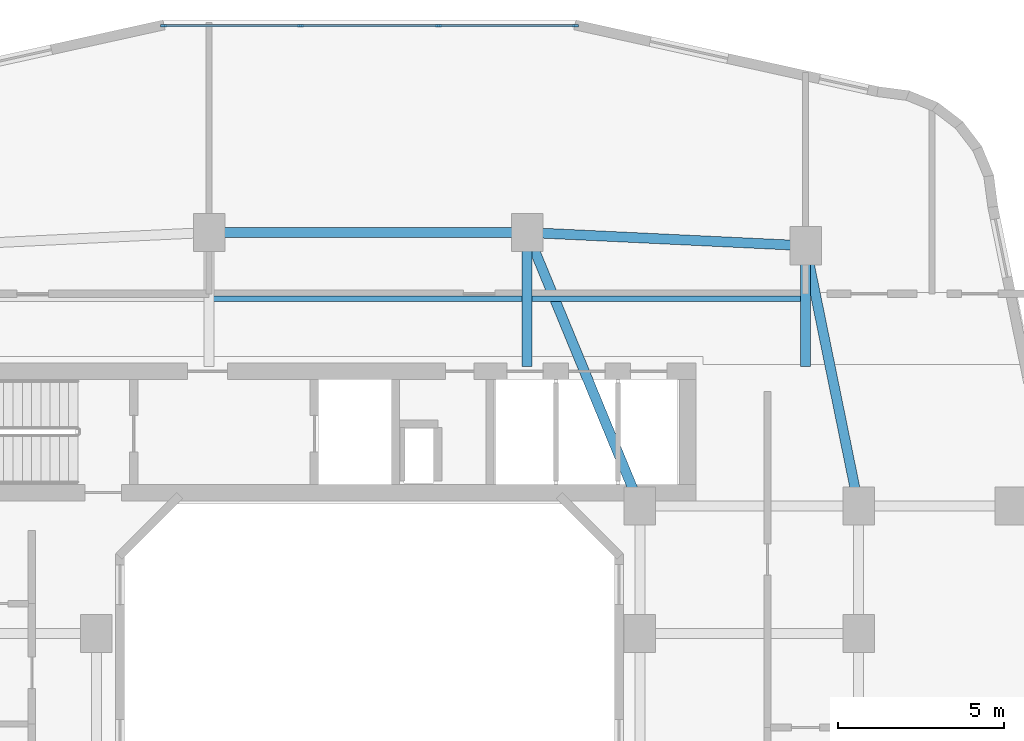
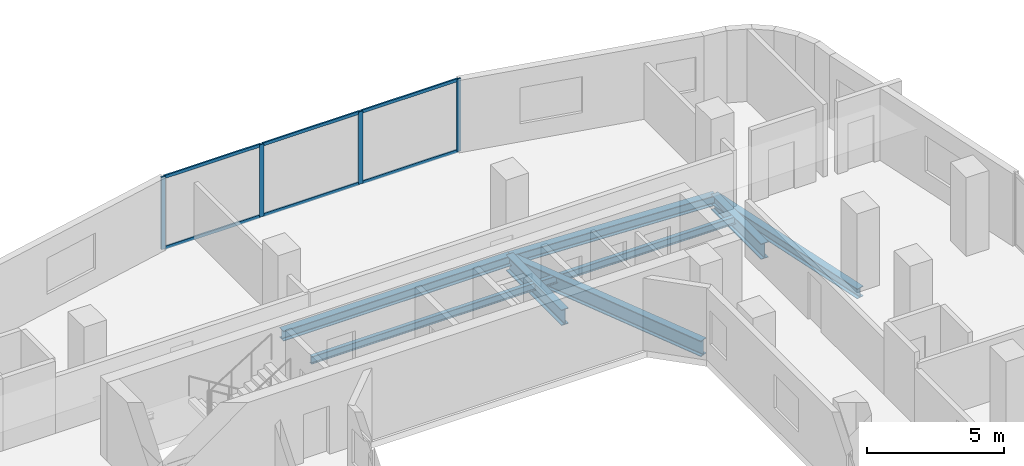
# One storey, part 7 of 26: 10 members, 8 beams, 1 element without a shape of its own.
"""IFC4 building model written with IfcOpenShell, lengths in metres."""

from ifc_helpers import new_model, si_unit, derived_unit, direction, frame, origin, origin_2d, place, context, subcontext, project, spatial, rectangle, i_section, extrude, material, layer, layer_set, material_profile, profile_set, type_object, element, aggregate, save


model = new_model("IFC4")

# Units and contexts
model_context = context("Model", 3, precision=1e-05, world=origin(), true_north=direction((0.0, 1.0)))
body_context = subcontext(model_context, "Body", "Model", "MODEL_VIEW")
ifc_project = project(units=[si_unit("LENGTHUNIT", "METRE"), si_unit("AREAUNIT", "SQUARE_METRE"), si_unit("VOLUMEUNIT", "CUBIC_METRE"), si_unit("PLANEANGLEUNIT", "RADIAN"), si_unit("MASSUNIT", "GRAM", prefix="KILO"), derived_unit("THERMALTRANSMITTANCEUNIT", [(si_unit("POWERUNIT", "WATT"), 1), (si_unit("LENGTHUNIT", "METRE"), -2), (si_unit("THERMODYNAMICTEMPERATUREUNIT", "KELVIN"), -1)])], contexts=[model_context])

# Site, building, storey
site_placement = place(None, origin())
site = spatial("IfcSite", under=ifc_project, at=site_placement, CompositionType="ELEMENT")
building_placement = place(site_placement, origin())
building = spatial("IfcBuilding", under=site, at=building_placement, Name="Kivonza Crest Hotel", CompositionType="ELEMENT")
storey_placement = place(building_placement, frame((0.0, 0.0, 66.0)))
storey = spatial("IfcBuildingStorey", under=building, at=storey_placement, Name="L17", CompositionType="ELEMENT", Elevation=66.0)

# Beams
ifc_material_1 = material(Name="Steel S355", Category="steel")
ifc_material_profile_1 = material_profile(ifc_material_1, i_section(OverallWidth=0.300048828125, OverallDepth=0.449951171875, WebThickness=0.013916015625, FlangeThickness=0.02587890625, FilletRadius=0.027099609375, at=origin_2d()), Name="HEB 450")
ifc_profile_set_1 = profile_set([ifc_material_profile_1], Name="Steel S355")
beam_type_1 = type_object("IfcBeamType", Name="BM-HEB450", PredefinedType="SPANDREL", material=ifc_profile_set_1)
beam_1_placement = place(storey_placement, frame((35.800048828125, 32.35009765625, -0.5048828125), z_axis=(-0.199730733965, 0.979850822273, 0.0), x_axis=(-0.979850822273, -0.199730733965, 0.0)))
element("IfcBeam", 1, at=beam_1_placement, inside=storey, type_object=beam_type_1, Name="Tower T1 L17 perimeter spandrel PNE-NE", PredefinedType="SPANDREL", context=body_context, shape_type="SweptSolid", body=[
    extrude(i_section(OverallWidth=0.300048828125, OverallDepth=0.449951171875, WebThickness=0.013916015625, FlangeThickness=0.02587890625, FilletRadius=0.027099609375, at=origin_2d()), origin(), (0.0, 0.0, 1.0), 8.01123046875),
])
beam_2_placement = place(storey_placement, frame((34.199951171875, 40.199951171875, -0.5048828125), z_axis=(-0.998867283688, 0.047583080799, 0.0), x_axis=(-0.047583080799, -0.998867283688, 0.0)))
element("IfcBeam", 2, at=beam_2_placement, inside=storey, type_object=beam_type_1, Name="Tower T1 L17 perimeter spandrel NE-N2", PredefinedType="SPANDREL", context=body_context, shape_type="SweptSolid", body=[
    extrude(i_section(OverallWidth=0.300048828125, OverallDepth=0.449951171875, WebThickness=0.013916015625, FlangeThickness=0.02587890625, FilletRadius=0.027099609375, at=origin_2d()), origin(), (0.0, 0.0, 1.0), 8.409423828125),
])
beam_3_placement = place(storey_placement, frame((25.800048828125, 40.60009765625, -0.5048828125), z_axis=(-1.0, 0.0, 0.0), x_axis=(0.0, -1.0, 0.0)))
element("IfcBeam", 3, at=beam_3_placement, inside=storey, type_object=beam_type_1, Name="Tower T1 L17 perimeter spandrel N2-N1", PredefinedType="SPANDREL", context=body_context, shape_type="SweptSolid", body=[
    extrude(i_section(OverallWidth=0.300048828125, OverallDepth=0.449951171875, WebThickness=0.013916015625, FlangeThickness=0.02587890625, FilletRadius=0.027099609375, at=origin_2d()), origin(), (0.0, 0.0, 1.0), 9.60009765625),
])
ifc_material_profile_2 = material_profile(ifc_material_1, i_section(OverallWidth=0.300048828125, OverallDepth=0.699951171875, WebThickness=0.01708984375, FlangeThickness=0.031982421875, FilletRadius=0.027099609375, at=origin_2d()), Name="HEB 700")
ifc_profile_set_2 = profile_set([ifc_material_profile_2], Name="Steel S355")
beam_type_2 = type_object("IfcBeamType", Name="BM-HEB700", PredefinedType="BEAM", material=ifc_profile_set_2)
beam_4_placement = place(storey_placement, frame((25.800048828125, 40.60009765625, -0.6298828125), z_axis=(0.381022260404, -0.924565864109, 0.0), x_axis=(0.924565864109, 0.381022260404, 0.0)))
element("IfcBeam", 4, at=beam_4_placement, inside=storey, type_object=beam_type_2, Name="Tower T1 L17 primary girder N1-TNE", PredefinedType="BEAM", context=body_context, shape_type="SweptSolid", body=[
    extrude(i_section(OverallWidth=0.300048828125, OverallDepth=0.699951171875, WebThickness=0.01708984375, FlangeThickness=0.031982421875, FilletRadius=0.027099609375, at=origin_2d()), origin(), (0.0, 0.0, 1.0), 8.923095703125),
])
beam_5_placement = place(storey_placement, frame((25.800048828125, 40.60009765625, -0.6298828125), z_axis=(0.0, -1.0, 0.0), x_axis=(1.0, 0.0, 0.0)))
element("IfcBeam", 5, at=beam_5_placement, inside=storey, type_object=beam_type_2, Name="Tower T1 L17 radial core girder RN2", PredefinedType="BEAM", context=body_context, shape_type="SweptSolid", body=[
    extrude(i_section(OverallWidth=0.300048828125, OverallDepth=0.699951171875, WebThickness=0.01708984375, FlangeThickness=0.031982421875, FilletRadius=0.027099609375, at=origin_2d()), origin(), (0.0, 0.0, 1.0), 4.050048828125),
])
beam_6_placement = place(storey_placement, frame((34.199951171875, 40.199951171875, -0.6298828125), z_axis=(0.0, -1.0, 0.0), x_axis=(1.0, 0.0, 0.0)))
element("IfcBeam", 6, at=beam_6_placement, inside=storey, type_object=beam_type_2, Name="Tower T1 L17 radial core girder RNE", PredefinedType="BEAM", context=body_context, shape_type="SweptSolid", body=[
    extrude(i_section(OverallWidth=0.300048828125, OverallDepth=0.699951171875, WebThickness=0.01708984375, FlangeThickness=0.031982421875, FilletRadius=0.027099609375, at=origin_2d()), origin(), (0.0, 0.0, 1.0), 3.64990234375),
])
ifc_material_profile_3 = material_profile(ifc_material_1, i_section(OverallWidth=0.159912109375, OverallDepth=0.330078125, WebThickness=0.007568359375, FlangeThickness=0.011474609375, FilletRadius=0.01806640625, at=origin_2d()), Name="IPE 330")
ifc_profile_set_3 = profile_set([ifc_material_profile_3], Name="Steel S355")
beam_type_3 = type_object("IfcBeamType", Name="BM-IPE330", PredefinedType="JOIST", material=ifc_profile_set_3)
beam_7_placement = place(storey_placement, frame((16.280029296875, 38.60009765625, -0.445068359375), z_axis=(1.0, 0.0, 0.0), x_axis=(0.0, 1.0, 0.0)))
element("IfcBeam", 7, at=beam_7_placement, inside=storey, type_object=beam_type_3, Name="Tower T1 L17 North-Mid floor joist", PredefinedType="JOIST", context=body_context, shape_type="SweptSolid", body=[
    extrude(i_section(OverallWidth=0.159912109375, OverallDepth=0.330078125, WebThickness=0.007568359375, FlangeThickness=0.011474609375, FilletRadius=0.01806640625, at=origin_2d()), origin(), (0.0, 0.0, 1.0), 9.43994140625),
])
beam_8_placement = place(storey_placement, frame((25.8798828125, 38.60009765625, -0.445068359375), z_axis=(1.0, 0.0, 0.0), x_axis=(0.0, 1.0, 0.0)))
element("IfcBeam", 8, at=beam_8_placement, inside=storey, type_object=beam_type_3, Name="Tower T1 L17 North-East floor joist", PredefinedType="JOIST", context=body_context, shape_type="SweptSolid", body=[
    extrude(i_section(OverallWidth=0.159912109375, OverallDepth=0.330078125, WebThickness=0.007568359375, FlangeThickness=0.011474609375, FilletRadius=0.01806640625, at=origin_2d()), origin(), (0.0, 0.0, 1.0), 8.240234375),
])

# Curtain wall, members
ifc_material_2 = material(Name="Anodised bronze aluminium and low-E double glazing", Category="aluminium")
ifc_layer = layer(ifc_material_2, 0.179931640625)
ifc_layer_set = layer_set([ifc_layer], Name="Anodised bronze aluminium and low-E double glazing")
curtain_wall_type = type_object("IfcCurtainWallType", Name="CW-SYS-2", PredefinedType="NOTDEFINED", material=ifc_layer_set)
curtain_wall_placement = place(storey_placement, origin())
curtain_wall = element("IfcCurtainWall", 9, at=curtain_wall_placement, inside=storey, type_object=curtain_wall_type, Name="L17 unitised curtain wall CW-T1-L17-26", PredefinedType="NOTDEFINED")
ifc_material_3 = material(Name="Anodised bronze aluminium", Category="aluminium")
ifc_material_profile_4 = material_profile(ifc_material_3, rectangle(XDim=0.06494140625, YDim=0.179931640625, at=origin_2d()), Name="CW-M 65x180")
ifc_profile_set_4 = profile_set([ifc_material_profile_4], Name="Anodised bronze aluminium")
member_type_1 = type_object("IfcMemberType", Name="CW-MUL-65x180", PredefinedType="MULLION", material=ifc_profile_set_4)
member_1_placement = place(storey_placement, frame((27.255615234375, 46.840087890625, 0.0), z_axis=(0.0, 0.0, 1.0), x_axis=(0.0, -1.0, 0.0)))
member_1 = element("IfcMember", 10, at=member_1_placement, type_object=member_type_1, Name="CW-2 mullion 1", PredefinedType="MULLION", context=body_context, shape_type="SweptSolid", body=[
    extrude(rectangle(XDim=0.06494140625, YDim=0.179931640625, at=origin_2d()), origin(), (0.0, 0.0, 1.0), 3.219970703125),
])
member_2_placement = place(storey_placement, frame((23.12255859375, 46.840087890625, 0.0), z_axis=(0.0, 0.0, 1.0), x_axis=(0.0, -1.0, 0.0)))
member_2 = element("IfcMember", 11, at=member_2_placement, type_object=member_type_1, Name="CW-2 mullion 2", PredefinedType="MULLION", context=body_context, shape_type="SweptSolid", body=[
    extrude(rectangle(XDim=0.06494140625, YDim=0.179931640625, at=origin_2d()), origin(), (0.0, 0.0, 1.0), 3.219970703125),
])
member_3_placement = place(storey_placement, frame((18.957275390625, 46.840087890625, 0.0), z_axis=(0.0, 0.0, 1.0), x_axis=(0.0, -1.0, 0.0)))
member_3 = element("IfcMember", 12, at=member_3_placement, type_object=member_type_1, Name="CW-2 mullion 3", PredefinedType="MULLION", context=body_context, shape_type="SweptSolid", body=[
    extrude(rectangle(XDim=0.06494140625, YDim=0.179931640625, at=origin_2d()), origin(), (0.0, 0.0, 1.0), 3.219970703125),
])
member_4_placement = place(storey_placement, frame((14.824462890625, 46.840087890625, 0.0), z_axis=(0.0, 0.0, 1.0), x_axis=(0.0, -1.0, 0.0)))
member_4 = element("IfcMember", 13, at=member_4_placement, type_object=member_type_1, Name="CW-2 mullion 4", PredefinedType="MULLION", context=body_context, shape_type="SweptSolid", body=[
    extrude(rectangle(XDim=0.06494140625, YDim=0.179931640625, at=origin_2d()), origin(), (0.0, 0.0, 1.0), 3.219970703125),
])
ifc_material_profile_5 = material_profile(ifc_material_3, rectangle(XDim=0.06494140625, YDim=0.139892578125, at=origin_2d()), Name="CW-T 65x140")
ifc_profile_set_5 = profile_set([ifc_material_profile_5], Name="Anodised bronze aluminium")
member_type_2 = type_object("IfcMemberType", Name="CW-TRN-65x140", PredefinedType="USERDEFINED", material=ifc_profile_set_5)
member_5_placement = place(storey_placement, frame((27.222900390625, 46.840087890625, 0.032470703125), z_axis=(-1.0, 0.0, 0.0), x_axis=(0.0, -1.0, 0.0)))
member_5 = element("IfcMember", 14, at=member_5_placement, type_object=member_type_2, Name="CW-2 transom 1.1", ObjectType="TRANSOM", PredefinedType="USERDEFINED", context=body_context, shape_type="SweptSolid", body=[
    extrude(rectangle(XDim=0.06494140625, YDim=0.139892578125, at=origin_2d()), origin(), (0.0, 0.0, 1.0), 4.067626953125),
])
member_6_placement = place(storey_placement, frame((27.222900390625, 46.840087890625, 3.1875), z_axis=(-1.0, 0.0, 0.0), x_axis=(0.0, -1.0, 0.0)))
member_6 = element("IfcMember", 15, at=member_6_placement, type_object=member_type_2, Name="CW-2 transom 1.2", ObjectType="TRANSOM", PredefinedType="USERDEFINED", context=body_context, shape_type="SweptSolid", body=[
    extrude(rectangle(XDim=0.06494140625, YDim=0.139892578125, at=origin_2d()), origin(), (0.0, 0.0, 1.0), 4.067626953125),
])
member_7_placement = place(storey_placement, frame((23.090087890625, 46.840087890625, 0.032470703125), z_axis=(-1.0, 0.0, 0.0), x_axis=(0.0, -1.0, 0.0)))
member_7 = element("IfcMember", 16, at=member_7_placement, type_object=member_type_2, Name="CW-2 transom 2.1", ObjectType="TRANSOM", PredefinedType="USERDEFINED", context=body_context, shape_type="SweptSolid", body=[
    extrude(rectangle(XDim=0.06494140625, YDim=0.139892578125, at=origin_2d()), origin(), (0.0, 0.0, 1.0), 4.100341796875),
])
member_8_placement = place(storey_placement, frame((23.090087890625, 46.840087890625, 3.1875), z_axis=(-1.0, 0.0, 0.0), x_axis=(0.0, -1.0, 0.0)))
member_8 = element("IfcMember", 17, at=member_8_placement, type_object=member_type_2, Name="CW-2 transom 2.2", ObjectType="TRANSOM", PredefinedType="USERDEFINED", context=body_context, shape_type="SweptSolid", body=[
    extrude(rectangle(XDim=0.06494140625, YDim=0.139892578125, at=origin_2d()), origin(), (0.0, 0.0, 1.0), 4.100341796875),
])
member_9_placement = place(storey_placement, frame((18.9248046875, 46.840087890625, 0.032470703125), z_axis=(-1.0, 0.0, 0.0), x_axis=(0.0, -1.0, 0.0)))
member_9 = element("IfcMember", 18, at=member_9_placement, type_object=member_type_2, Name="CW-2 transom 3.1", ObjectType="TRANSOM", PredefinedType="USERDEFINED", context=body_context, shape_type="SweptSolid", body=[
    extrude(rectangle(XDim=0.06494140625, YDim=0.139892578125, at=origin_2d()), origin(), (0.0, 0.0, 1.0), 4.06787109375),
])
member_10_placement = place(storey_placement, frame((18.9248046875, 46.840087890625, 3.1875), z_axis=(-1.0, 0.0, 0.0), x_axis=(0.0, -1.0, 0.0)))
member_10 = element("IfcMember", 19, at=member_10_placement, type_object=member_type_2, Name="CW-2 transom 3.2", ObjectType="TRANSOM", PredefinedType="USERDEFINED", context=body_context, shape_type="SweptSolid", body=[
    extrude(rectangle(XDim=0.06494140625, YDim=0.139892578125, at=origin_2d()), origin(), (0.0, 0.0, 1.0), 4.06787109375),
])
aggregate(curtain_wall, [member_1, member_2, member_3, member_4, member_5, member_6, member_7, member_8, member_9, member_10])

save(model, "model.ifc")
